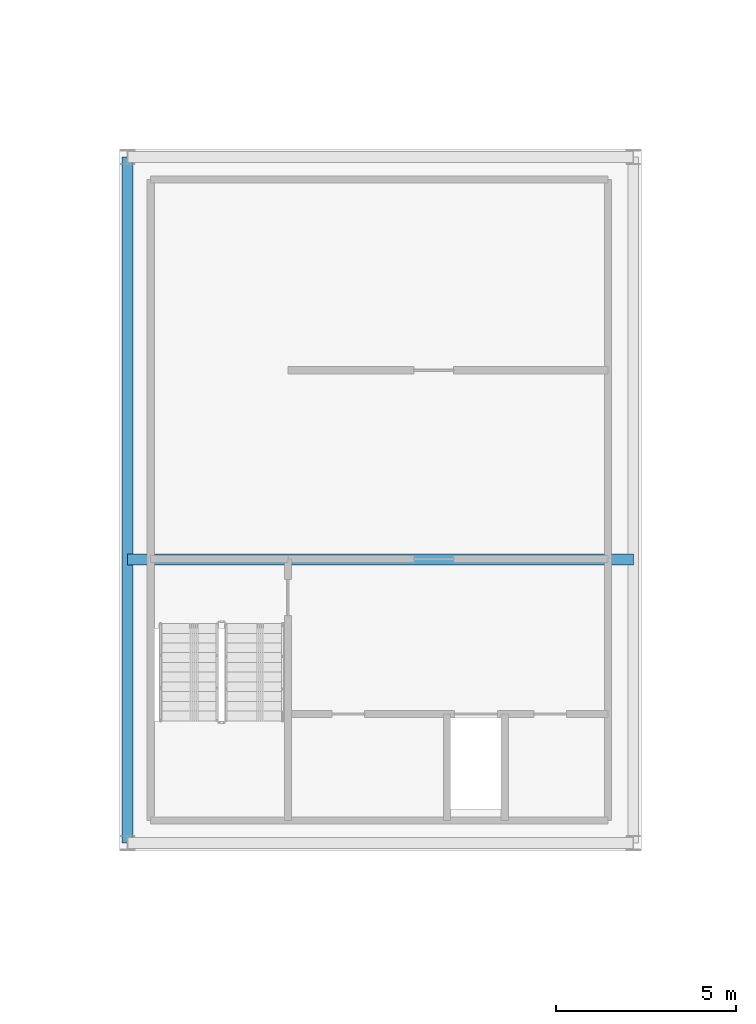
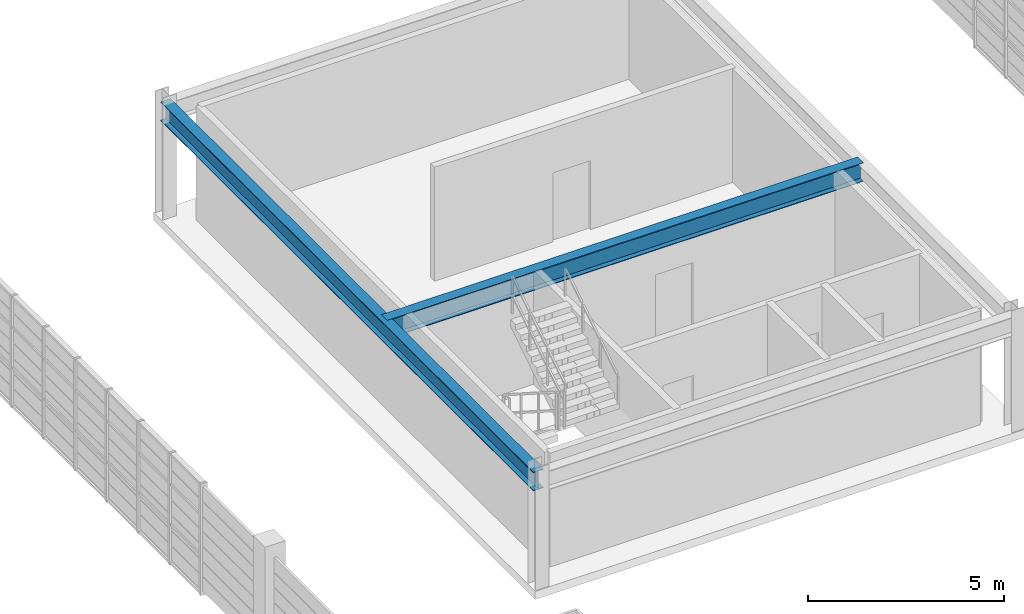
# One storey, part 8 of 21: 2 beams.
"""IFC4 building model written with IfcOpenShell, lengths in metres."""

from ifc_helpers import new_model, si_unit, direction, frame, origin, origin_2d, place, context, subcontext, project, spatial, i_section, extrude, source, transform, mapped, material, material_profile, profile_set, type_object, element, save


model = new_model("IFC4")

# Units and contexts
model_context = context("Model", 3, precision=1e-05, world=origin(), true_north=direction((0.0, 1.0)))
body_context = subcontext(model_context, "Body", "Model", "MODEL_VIEW")
ifc_project = project(units=[si_unit("LENGTHUNIT", "METRE"), si_unit("AREAUNIT", "SQUARE_METRE"), si_unit("VOLUMEUNIT", "CUBIC_METRE"), si_unit("PLANEANGLEUNIT", "RADIAN"), si_unit("MASSUNIT", "GRAM", prefix="KILO")], contexts=[model_context])

# Site, building, storey
site_placement = place(None, origin())
site = spatial("IfcSite", under=ifc_project, at=site_placement, CompositionType="ELEMENT")
building_placement = place(site_placement, origin())
building = spatial("IfcBuilding", under=site, at=building_placement, Name="Saelheon Loggia Tower", CompositionType="ELEMENT")
storey_placement = place(building_placement, frame((0.0, 0.0, 267.39990234375)))
storey = spatial("IfcBuildingStorey", under=building, at=storey_placement, Name="CR5", CompositionType="ELEMENT", Elevation=267.39990234375)

# Beams
ifc_material = material(Name="Steel SM355", Category="steel")
ifc_material_profile = material_profile(ifc_material, i_section(OverallWidth=0.300048828125, OverallDepth=0.587890625, WebThickness=0.011962890625, FlangeThickness=0.02001953125, at=origin_2d()), Name="H-588x300x12x20")
ifc_profile_set = profile_set([ifc_material_profile], Name="Steel SM355")
beam_type = type_object("IfcBeamType", Name="Beam_Girder_Steel_H588", PredefinedType="BEAM", material=ifc_profile_set)
shared_shape_1 = source(origin(), body_context, "Body", "SweptSolid", [
    extrude(i_section(OverallWidth=0.300048828125, OverallDepth=0.587890625, WebThickness=0.011962890625, FlangeThickness=0.02001953125, at=origin_2d()), origin(), (0.0, 0.0, 1.0), 14.0400390625),
])
beam_1_placement = place(storey_placement, frame((30.97998046875, 25.35009765625, 3.256103515625), z_axis=(1.0, 0.0, 0.0), x_axis=(0.0, 1.0, 0.0)))
element("IfcBeam", 1, at=beam_1_placement, inside=storey, type_object=beam_type, Name="BM-CR5-PL-ST5", PredefinedType="BEAM", context=body_context, shape_type="MappedRepresentation", body=[
    mapped(shared_shape_1, transform((0.0, 0.0, 0.0), scale=1.0)),
])
shared_shape_2 = source(origin(), body_context, "Body", "SweptSolid", [
    extrude(i_section(OverallWidth=0.300048828125, OverallDepth=0.587890625, WebThickness=0.011962890625, FlangeThickness=0.02001953125, at=origin_2d()), origin(), (0.0, 0.0, 1.0), 19.0400390625),
])
beam_2_placement = place(storey_placement, frame((30.97998046875, 17.47998046875, 3.256103515625), z_axis=(0.0, 1.0, 0.0), x_axis=(-1.0, 0.0, 0.0)))
element("IfcBeam", 2, at=beam_2_placement, inside=storey, type_object=beam_type, Name="BM-CR5-PL-W", PredefinedType="BEAM", context=body_context, shape_type="MappedRepresentation", body=[
    mapped(shared_shape_2, transform((0.0, 0.0, 0.0), scale=1.0)),
])

save(model, "model.ifc")
